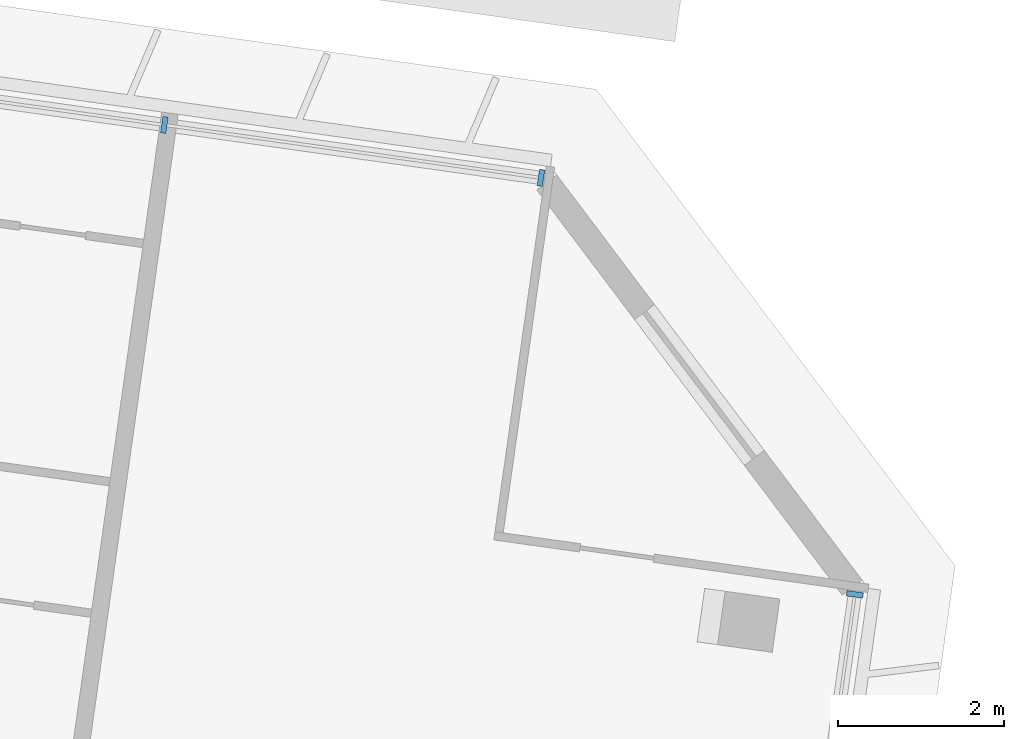
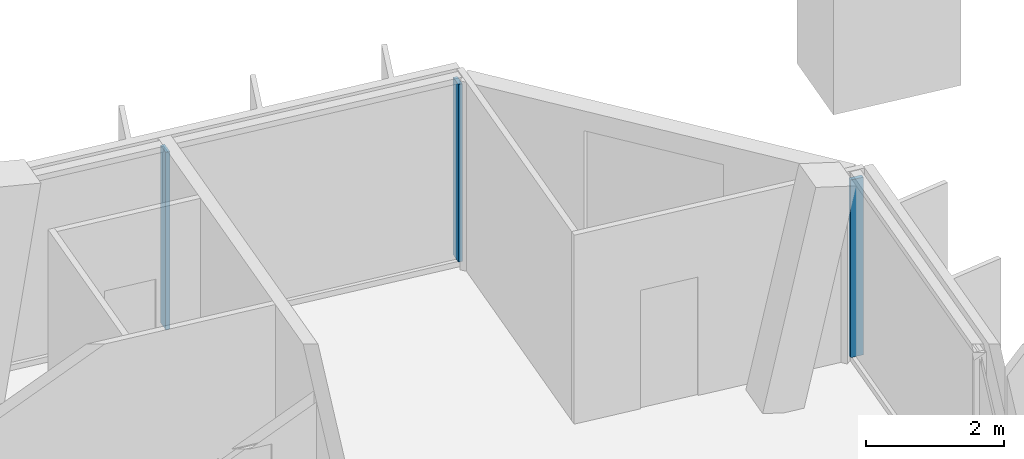
# One storey, part 10 of 28: 3 members, 2 elements without a shape of their own.
"""IFC4 building model written with IfcOpenShell, lengths in metres."""

from ifc_helpers import new_model, si_unit, direction, frame, origin, origin_2d, place, context, subcontext, project, spatial, rectangle, extrude, material, material_profile, profile_set, type_object, element, aggregate, save


model = new_model("IFC4")

# Units and contexts
model_context = context("Model", 3, precision=1e-05, world=origin(), true_north=direction((0.0, 1.0)))
body_context = subcontext(model_context, "Body", "Model", "MODEL_VIEW")
ifc_project = project(units=[si_unit("LENGTHUNIT", "METRE"), si_unit("AREAUNIT", "SQUARE_METRE"), si_unit("VOLUMEUNIT", "CUBIC_METRE"), si_unit("PLANEANGLEUNIT", "RADIAN"), si_unit("MASSUNIT", "GRAM", prefix="KILO")], contexts=[model_context])

# Site, building, storey
site_placement = place(None, origin())
site = spatial("IfcSite", under=ifc_project, at=site_placement, CompositionType="ELEMENT")
building_placement = place(site_placement, origin())
building = spatial("IfcBuilding", under=site, at=building_placement, Name="Mirante Cascada Hotel Towers", CompositionType="ELEMENT")
storey_placement = place(building_placement, frame((0.0, 0.0, 243.2)))
storey = spatial("IfcBuildingStorey", under=building, at=storey_placement, Name="L58", CompositionType="ELEMENT", Elevation=243.2)

# Curtain wall, members
ifc_material_1 = material(Name="Aluminium mullion and transom frame with clear laminated glass", Category="aluminium")
curtain_wall_type_1 = type_object("IfcCurtainWallType", Name="Ribbon curtain wall ECW1", PredefinedType="NOTDEFINED", material=ifc_material_1)
curtain_wall_1_placement = place(storey_placement, origin())
curtain_wall_1 = element("IfcCurtainWall", 1, at=curtain_wall_1_placement, inside=storey, type_object=curtain_wall_type_1, Name="Front ribbon wall T1 L58", PredefinedType="NOTDEFINED")
ifc_material_2 = material(Name="Anodised aluminium extrusion", Category="aluminium")
ifc_material_profile_1 = material_profile(ifc_material_2, rectangle(XDim=0.2, YDim=0.065, at=origin_2d()), Name="ECW1 MULLION 65x200")
ifc_profile_set_1 = profile_set([ifc_material_profile_1], Name="Anodised aluminium extrusion")
member_type_1 = type_object("IfcMemberType", Name="ECW1 mullion 65x200", PredefinedType="MULLION", material=ifc_profile_set_1)
member_1_placement = place(storey_placement, frame((-26.5129, 16.5452, 0.1), z_axis=(0.0, 0.0, 1.0), x_axis=(0.1391731, 0.9902681, 0.0)))
member_1 = element("IfcMember", 2, at=member_1_placement, type_object=member_type_1, Name="ECW1 mullion 8", PredefinedType="MULLION", context=body_context, shape_type="SweptSolid", body=[
    extrude(rectangle(XDim=0.2, YDim=0.065, at=origin_2d()), origin(), (0.0, 0.0, 1.0), 3.15),
])
member_2_placement = place(storey_placement, frame((-21.9742, 15.9073, 0.1), z_axis=(0.0, 0.0, 1.0), x_axis=(0.1391731, 0.9902681, 0.0)))
member_2 = element("IfcMember", 3, at=member_2_placement, type_object=member_type_1, Name="ECW1 mullion 9", PredefinedType="MULLION", context=body_context, shape_type="SweptSolid", body=[
    extrude(rectangle(XDim=0.2, YDim=0.065, at=origin_2d()), origin(), (0.0, 0.0, 1.0), 3.15),
])
aggregate(curtain_wall_1, [member_1, member_2])

# Curtain wall, member
ifc_material_3 = material(Name="Aluminium mullion and transom frame with clear laminated glass", Category="aluminium")
curtain_wall_type_2 = type_object("IfcCurtainWallType", Name="End ribbon curtain wall ECW2", PredefinedType="NOTDEFINED", material=ifc_material_3)
curtain_wall_2_placement = place(storey_placement, origin())
curtain_wall_2 = element("IfcCurtainWall", 4, at=curtain_wall_2_placement, inside=storey, type_object=curtain_wall_type_2, Name="Inner end wall T1 L58", PredefinedType="NOTDEFINED")
ifc_material_4 = material(Name="Anodised aluminium extrusion", Category="aluminium")
ifc_material_profile_2 = material_profile(ifc_material_4, rectangle(XDim=0.2, YDim=0.065, at=origin_2d()), Name="ECW2 MULLION 65x200")
ifc_profile_set_2 = profile_set([ifc_material_profile_2], Name="Anodised aluminium extrusion")
member_type_2 = type_object("IfcMemberType", Name="ECW2 mullion 65x200", PredefinedType="MULLION", material=ifc_profile_set_2)
member_3_placement = place(storey_placement, frame((-18.1914, 10.8874, 0.1), z_axis=(0.0, 0.0, 1.0), x_axis=(0.9902681, -0.1391731, 0.0)))
member_3 = element("IfcMember", 5, at=member_3_placement, type_object=member_type_2, Name="ECW2 mullion 1", PredefinedType="MULLION", context=body_context, shape_type="SweptSolid", body=[
    extrude(rectangle(XDim=0.2, YDim=0.065, at=origin_2d()), origin(), (0.0, 0.0, 1.0), 3.15),
])
aggregate(curtain_wall_2, [member_3])

save(model, "model.ifc")
